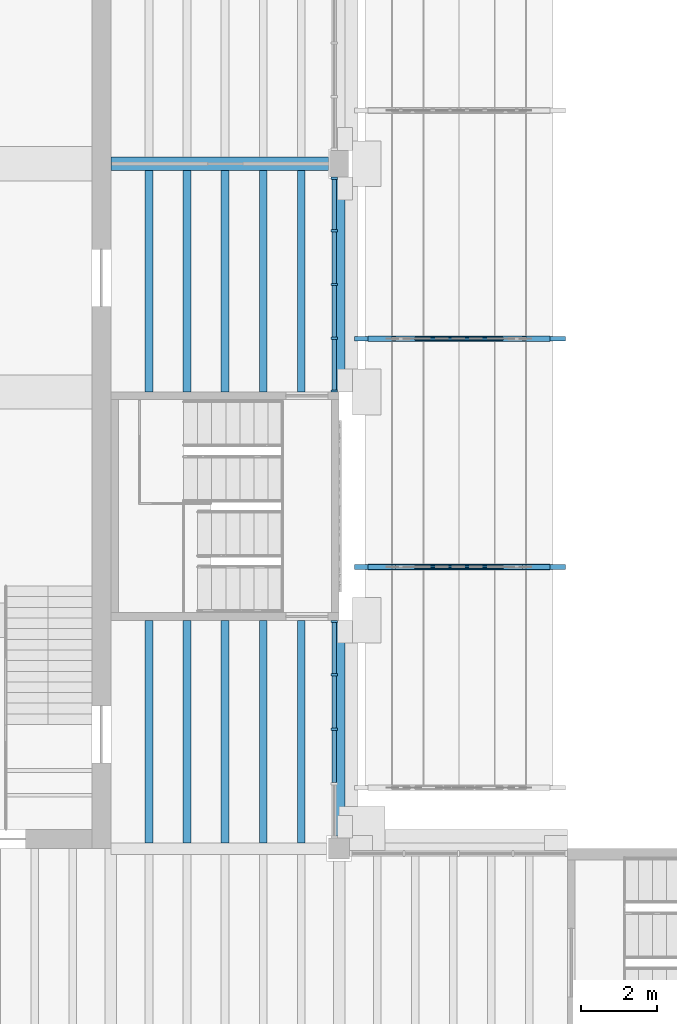
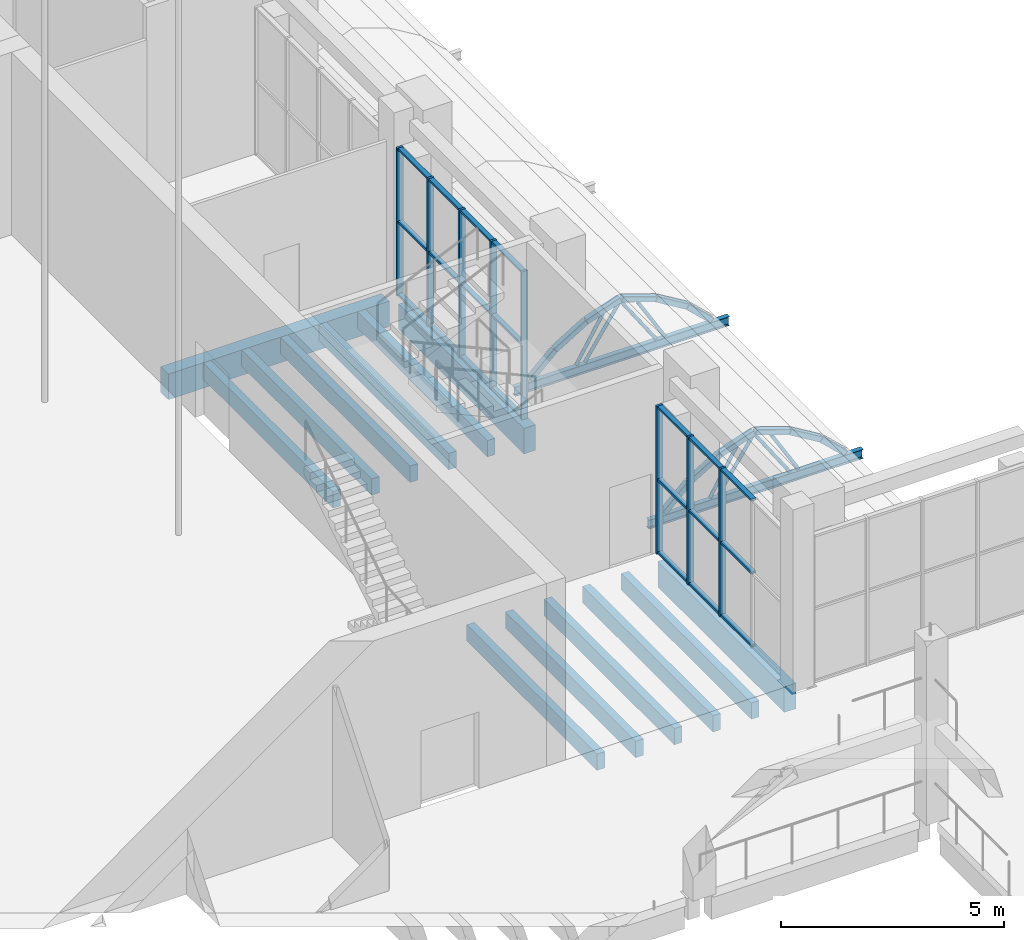
# One storey, part 15 of 80: 37 members, 27 beams, 2 elements without a shape of their own.
"""IFC4 building model written with IfcOpenShell, lengths in metres."""

from ifc_helpers import new_model, si_unit, direction, frame, origin, origin_2d, place, context, subcontext, project, spatial, rectangle, hollow_rectangle, hollow_circle, i_section, extrude, material, material_profile, profile_set, type_object, element, aggregate, save


model = new_model("IFC4")

# Units and contexts
model_context = context("Model", 3, precision=1e-05, world=origin(), true_north=direction((0.0, 1.0)))
body_context = subcontext(model_context, "Body", "Model", "MODEL_VIEW")
ifc_project = project(units=[si_unit("LENGTHUNIT", "METRE"), si_unit("AREAUNIT", "SQUARE_METRE"), si_unit("VOLUMEUNIT", "CUBIC_METRE"), si_unit("PLANEANGLEUNIT", "RADIAN"), si_unit("MASSUNIT", "GRAM", prefix="KILO")], contexts=[model_context])

# Site, building, storey
site_placement = place(None, origin())
site = spatial("IfcSite", under=ifc_project, at=site_placement, CompositionType="ELEMENT")
building_placement = place(site_placement, origin())
building = spatial("IfcBuilding", under=site, at=building_placement, Name="Saffron Lane Theatres", CompositionType="ELEMENT")
storey_placement = place(building_placement, frame((0.0, 0.0, 7.0)))
storey = spatial("IfcBuildingStorey", under=building, at=storey_placement, Name="L01", CompositionType="ELEMENT", Elevation=7.0)

# Curtain wall, members
ifc_material_1 = material(Name="Aluminium", Category="aluminium")
curtain_wall_type_1 = type_object("IfcCurtainWallType", Name="EX-CURTAIN WALL 5650x4050x160", PredefinedType="NOTDEFINED", material=ifc_material_1)
curtain_wall_1_placement = place(storey_placement, origin())
curtain_wall_1 = element("IfcCurtainWall", 1, at=curtain_wall_1_placement, inside=storey, type_object=curtain_wall_type_1, Name="Curtain wall L01 14", PredefinedType="NOTDEFINED")
ifc_material_2 = material(Name="Aluminium", Category="aluminium")
ifc_material_profile_1 = material_profile(ifc_material_2, rectangle(XDim=0.06005859375, YDim=0.159912109375, at=origin_2d()))
ifc_profile_set_1 = profile_set([ifc_material_profile_1], Name="Aluminium")
member_type_1 = type_object("IfcMemberType", Name="EX-CW MULLION 60x160", PredefinedType="MULLION", material=ifc_profile_set_1)
member_1_placement = place(storey_placement, frame((53.8701171875, 47.619873046875, 0.0), z_axis=(0.0, 0.0, 1.0), x_axis=(0.0, -1.0, 0.0)))
member_1 = element("IfcMember", 2, at=member_1_placement, type_object=member_type_1, Name="CW-01-14 mullion 1", PredefinedType="MULLION", context=body_context, shape_type="SweptSolid", body=[
    extrude(rectangle(XDim=0.06005859375, YDim=0.159912109375, at=origin_2d()), origin(), (0.0, 0.0, 1.0), 4.050048828125),
])
member_2_placement = place(storey_placement, frame((53.8701171875, 46.237548828125, 0.0), z_axis=(0.0, 0.0, 1.0), x_axis=(0.0, -1.0, 0.0)))
member_2 = element("IfcMember", 3, at=member_2_placement, type_object=member_type_1, Name="CW-01-14 mullion 2", PredefinedType="MULLION", context=body_context, shape_type="SweptSolid", body=[
    extrude(rectangle(XDim=0.06005859375, YDim=0.159912109375, at=origin_2d()), origin(), (0.0, 0.0, 1.0), 4.050048828125),
])
member_3_placement = place(storey_placement, frame((53.8701171875, 44.824951171875, 0.0), z_axis=(0.0, 0.0, 1.0), x_axis=(0.0, -1.0, 0.0)))
member_3 = element("IfcMember", 4, at=member_3_placement, type_object=member_type_1, Name="CW-01-14 mullion 3", PredefinedType="MULLION", context=body_context, shape_type="SweptSolid", body=[
    extrude(rectangle(XDim=0.06005859375, YDim=0.159912109375, at=origin_2d()), origin(), (0.0, 0.0, 1.0), 4.050048828125),
])
member_4_placement = place(storey_placement, frame((53.8701171875, 43.41259765625, 0.0), z_axis=(0.0, 0.0, 1.0), x_axis=(0.0, -1.0, 0.0)))
member_4 = element("IfcMember", 5, at=member_4_placement, type_object=member_type_1, Name="CW-01-14 mullion 4", PredefinedType="MULLION", context=body_context, shape_type="SweptSolid", body=[
    extrude(rectangle(XDim=0.06005859375, YDim=0.159912109375, at=origin_2d()), origin(), (0.0, 0.0, 1.0), 4.050048828125),
])
member_5_placement = place(storey_placement, frame((53.8701171875, 42.030029296875, 0.0), z_axis=(0.0, 0.0, 1.0), x_axis=(0.0, -1.0, 0.0)))
member_5 = element("IfcMember", 6, at=member_5_placement, type_object=member_type_1, Name="CW-01-14 mullion 5", PredefinedType="MULLION", context=body_context, shape_type="SweptSolid", body=[
    extrude(rectangle(XDim=0.06005859375, YDim=0.159912109375, at=origin_2d()), origin(), (0.0, 0.0, 1.0), 4.050048828125),
])

ifc_material_3 = material(Name="Aluminium", Category="aluminium")
curtain_wall_type_2 = type_object("IfcCurtainWallType", Name="EX-CURTAIN WALL 5720x4050x160", PredefinedType="NOTDEFINED", material=ifc_material_3)
curtain_wall_2_placement = place(storey_placement, origin())
curtain_wall_2 = element("IfcCurtainWall", 7, at=curtain_wall_2_placement, inside=storey, type_object=curtain_wall_type_2, Name="Curtain wall L01 15", PredefinedType="NOTDEFINED")
member_6_placement = place(storey_placement, frame((53.8701171875, 35.969970703125, 0.0), z_axis=(0.0, 0.0, 1.0), x_axis=(0.0, -1.0, 0.0)))
member_6 = element("IfcMember", 8, at=member_6_placement, type_object=member_type_1, Name="CW-01-15 mullion 1", PredefinedType="MULLION", context=body_context, shape_type="SweptSolid", body=[
    extrude(rectangle(XDim=0.06005859375, YDim=0.159912109375, at=origin_2d()), origin(), (0.0, 0.0, 1.0), 4.050048828125),
])
member_7_placement = place(storey_placement, frame((53.8701171875, 34.56884765625, 0.0), z_axis=(0.0, 0.0, 1.0), x_axis=(0.0, -1.0, 0.0)))
member_7 = element("IfcMember", 9, at=member_7_placement, type_object=member_type_1, Name="CW-01-15 mullion 2", PredefinedType="MULLION", context=body_context, shape_type="SweptSolid", body=[
    extrude(rectangle(XDim=0.06005859375, YDim=0.159912109375, at=origin_2d()), origin(), (0.0, 0.0, 1.0), 4.050048828125),
])
member_8_placement = place(storey_placement, frame((53.8701171875, 33.137451171875, 0.0), z_axis=(0.0, 0.0, 1.0), x_axis=(0.0, -1.0, 0.0)))
member_8 = element("IfcMember", 10, at=member_8_placement, type_object=member_type_1, Name="CW-01-15 mullion 3", PredefinedType="MULLION", context=body_context, shape_type="SweptSolid", body=[
    extrude(rectangle(XDim=0.06005859375, YDim=0.159912109375, at=origin_2d()), origin(), (0.0, 0.0, 1.0), 4.050048828125),
])

# Member
ifc_material_4 = material(Name="Aluminium", Category="aluminium")
ifc_material_profile_2 = material_profile(ifc_material_4, rectangle(XDim=0.1201171875, YDim=0.06005859375, at=origin_2d()))
ifc_profile_set_2 = profile_set([ifc_material_profile_2], Name="Aluminium")
member_type_2 = type_object("IfcMemberType", Name="EX-CW TRANSOM 120x60", PredefinedType="USERDEFINED", material=ifc_profile_set_2)
member_9_placement = place(storey_placement, frame((53.8701171875, 47.58984375, 0.030029296875), z_axis=(0.0, -1.0, 0.0), x_axis=(1.0, 0.0, 0.0)))
member_9 = element("IfcMember", 11, at=member_9_placement, type_object=member_type_2, Name="CW-01-14 transom 1.1", ObjectType="TRANSOM", PredefinedType="USERDEFINED", context=body_context, shape_type="SweptSolid", body=[
    extrude(rectangle(XDim=0.1201171875, YDim=0.06005859375, at=origin_2d()), origin(), (0.0, 0.0, 1.0), 1.322509765625),
])

member_10_placement = place(storey_placement, frame((53.8701171875, 47.58984375, 2.02490234375), z_axis=(0.0, -1.0, 0.0), x_axis=(1.0, 0.0, 0.0)))
member_10 = element("IfcMember", 12, at=member_10_placement, type_object=member_type_2, Name="CW-01-14 transom 1.2", ObjectType="TRANSOM", PredefinedType="USERDEFINED", context=body_context, shape_type="SweptSolid", body=[
    extrude(rectangle(XDim=0.1201171875, YDim=0.06005859375, at=origin_2d()), origin(), (0.0, 0.0, 1.0), 1.322509765625),
])

member_11_placement = place(storey_placement, frame((53.8701171875, 47.58984375, 4.02001953125), z_axis=(0.0, -1.0, 0.0), x_axis=(1.0, 0.0, 0.0)))
member_11 = element("IfcMember", 13, at=member_11_placement, type_object=member_type_2, Name="CW-01-14 transom 1.3", ObjectType="TRANSOM", PredefinedType="USERDEFINED", context=body_context, shape_type="SweptSolid", body=[
    extrude(rectangle(XDim=0.1201171875, YDim=0.06005859375, at=origin_2d()), origin(), (0.0, 0.0, 1.0), 1.322509765625),
])

member_12_placement = place(storey_placement, frame((53.8701171875, 46.20751953125, 0.030029296875), z_axis=(0.0, -1.0, 0.0), x_axis=(1.0, 0.0, 0.0)))
member_12 = element("IfcMember", 14, at=member_12_placement, type_object=member_type_2, Name="CW-01-14 transom 2.1", ObjectType="TRANSOM", PredefinedType="USERDEFINED", context=body_context, shape_type="SweptSolid", body=[
    extrude(rectangle(XDim=0.1201171875, YDim=0.06005859375, at=origin_2d()), origin(), (0.0, 0.0, 1.0), 1.3525390625),
])

member_13_placement = place(storey_placement, frame((53.8701171875, 46.20751953125, 2.02490234375), z_axis=(0.0, -1.0, 0.0), x_axis=(1.0, 0.0, 0.0)))
member_13 = element("IfcMember", 15, at=member_13_placement, type_object=member_type_2, Name="CW-01-14 transom 2.2", ObjectType="TRANSOM", PredefinedType="USERDEFINED", context=body_context, shape_type="SweptSolid", body=[
    extrude(rectangle(XDim=0.1201171875, YDim=0.06005859375, at=origin_2d()), origin(), (0.0, 0.0, 1.0), 1.3525390625),
])

member_14_placement = place(storey_placement, frame((53.8701171875, 46.20751953125, 4.02001953125), z_axis=(0.0, -1.0, 0.0), x_axis=(1.0, 0.0, 0.0)))
member_14 = element("IfcMember", 16, at=member_14_placement, type_object=member_type_2, Name="CW-01-14 transom 2.3", ObjectType="TRANSOM", PredefinedType="USERDEFINED", context=body_context, shape_type="SweptSolid", body=[
    extrude(rectangle(XDim=0.1201171875, YDim=0.06005859375, at=origin_2d()), origin(), (0.0, 0.0, 1.0), 1.3525390625),
])

member_15_placement = place(storey_placement, frame((53.8701171875, 44.794921875, 0.030029296875), z_axis=(0.0, -1.0, 0.0), x_axis=(1.0, 0.0, 0.0)))
member_15 = element("IfcMember", 17, at=member_15_placement, type_object=member_type_2, Name="CW-01-14 transom 3.1", ObjectType="TRANSOM", PredefinedType="USERDEFINED", context=body_context, shape_type="SweptSolid", body=[
    extrude(rectangle(XDim=0.1201171875, YDim=0.06005859375, at=origin_2d()), origin(), (0.0, 0.0, 1.0), 1.3525390625),
])

member_16_placement = place(storey_placement, frame((53.8701171875, 44.794921875, 2.02490234375), z_axis=(0.0, -1.0, 0.0), x_axis=(1.0, 0.0, 0.0)))
member_16 = element("IfcMember", 18, at=member_16_placement, type_object=member_type_2, Name="CW-01-14 transom 3.2", ObjectType="TRANSOM", PredefinedType="USERDEFINED", context=body_context, shape_type="SweptSolid", body=[
    extrude(rectangle(XDim=0.1201171875, YDim=0.06005859375, at=origin_2d()), origin(), (0.0, 0.0, 1.0), 1.3525390625),
])

member_17_placement = place(storey_placement, frame((53.8701171875, 44.794921875, 4.02001953125), z_axis=(0.0, -1.0, 0.0), x_axis=(1.0, 0.0, 0.0)))
member_17 = element("IfcMember", 19, at=member_17_placement, type_object=member_type_2, Name="CW-01-14 transom 3.3", ObjectType="TRANSOM", PredefinedType="USERDEFINED", context=body_context, shape_type="SweptSolid", body=[
    extrude(rectangle(XDim=0.1201171875, YDim=0.06005859375, at=origin_2d()), origin(), (0.0, 0.0, 1.0), 1.3525390625),
])

member_18_placement = place(storey_placement, frame((53.8701171875, 43.382568359375, 0.030029296875), z_axis=(0.0, -1.0, 0.0), x_axis=(1.0, 0.0, 0.0)))
member_18 = element("IfcMember", 20, at=member_18_placement, type_object=member_type_2, Name="CW-01-14 transom 4.1", ObjectType="TRANSOM", PredefinedType="USERDEFINED", context=body_context, shape_type="SweptSolid", body=[
    extrude(rectangle(XDim=0.1201171875, YDim=0.06005859375, at=origin_2d()), origin(), (0.0, 0.0, 1.0), 1.322509765625),
])

member_19_placement = place(storey_placement, frame((53.8701171875, 43.382568359375, 2.02490234375), z_axis=(0.0, -1.0, 0.0), x_axis=(1.0, 0.0, 0.0)))
member_19 = element("IfcMember", 21, at=member_19_placement, type_object=member_type_2, Name="CW-01-14 transom 4.2", ObjectType="TRANSOM", PredefinedType="USERDEFINED", context=body_context, shape_type="SweptSolid", body=[
    extrude(rectangle(XDim=0.1201171875, YDim=0.06005859375, at=origin_2d()), origin(), (0.0, 0.0, 1.0), 1.322509765625),
])

member_20_placement = place(storey_placement, frame((53.8701171875, 43.382568359375, 4.02001953125), z_axis=(0.0, -1.0, 0.0), x_axis=(1.0, 0.0, 0.0)))
member_20 = element("IfcMember", 22, at=member_20_placement, type_object=member_type_2, Name="CW-01-14 transom 4.3", ObjectType="TRANSOM", PredefinedType="USERDEFINED", context=body_context, shape_type="SweptSolid", body=[
    extrude(rectangle(XDim=0.1201171875, YDim=0.06005859375, at=origin_2d()), origin(), (0.0, 0.0, 1.0), 1.322509765625),
])

aggregate(curtain_wall_1, [member_1, member_2, member_3, member_4, member_5, member_9, member_10, member_11, member_12, member_13, member_14, member_15, member_16, member_17, member_18, member_19, member_20])

member_21_placement = place(storey_placement, frame((53.8701171875, 35.93994140625, 0.030029296875), z_axis=(0.0, -1.0, 0.0), x_axis=(1.0, 0.0, 0.0)))
member_21 = element("IfcMember", 23, at=member_21_placement, type_object=member_type_2, Name="CW-01-15 transom 1.1", ObjectType="TRANSOM", PredefinedType="USERDEFINED", context=body_context, shape_type="SweptSolid", body=[
    extrude(rectangle(XDim=0.1201171875, YDim=0.06005859375, at=origin_2d()), origin(), (0.0, 0.0, 1.0), 1.34130859375),
])

member_22_placement = place(storey_placement, frame((53.8701171875, 35.93994140625, 2.02490234375), z_axis=(0.0, -1.0, 0.0), x_axis=(1.0, 0.0, 0.0)))
member_22 = element("IfcMember", 24, at=member_22_placement, type_object=member_type_2, Name="CW-01-15 transom 1.2", ObjectType="TRANSOM", PredefinedType="USERDEFINED", context=body_context, shape_type="SweptSolid", body=[
    extrude(rectangle(XDim=0.1201171875, YDim=0.06005859375, at=origin_2d()), origin(), (0.0, 0.0, 1.0), 1.34130859375),
])

member_23_placement = place(storey_placement, frame((53.8701171875, 35.93994140625, 4.02001953125), z_axis=(0.0, -1.0, 0.0), x_axis=(1.0, 0.0, 0.0)))
member_23 = element("IfcMember", 25, at=member_23_placement, type_object=member_type_2, Name="CW-01-15 transom 1.3", ObjectType="TRANSOM", PredefinedType="USERDEFINED", context=body_context, shape_type="SweptSolid", body=[
    extrude(rectangle(XDim=0.1201171875, YDim=0.06005859375, at=origin_2d()), origin(), (0.0, 0.0, 1.0), 1.34130859375),
])

member_24_placement = place(storey_placement, frame((53.8701171875, 34.538818359375, 0.030029296875), z_axis=(0.0, -1.0, 0.0), x_axis=(1.0, 0.0, 0.0)))
member_24 = element("IfcMember", 26, at=member_24_placement, type_object=member_type_2, Name="CW-01-15 transom 2.1", ObjectType="TRANSOM", PredefinedType="USERDEFINED", context=body_context, shape_type="SweptSolid", body=[
    extrude(rectangle(XDim=0.1201171875, YDim=0.06005859375, at=origin_2d()), origin(), (0.0, 0.0, 1.0), 1.371337890625),
])

member_25_placement = place(storey_placement, frame((53.8701171875, 34.538818359375, 2.02490234375), z_axis=(0.0, -1.0, 0.0), x_axis=(1.0, 0.0, 0.0)))
member_25 = element("IfcMember", 27, at=member_25_placement, type_object=member_type_2, Name="CW-01-15 transom 2.2", ObjectType="TRANSOM", PredefinedType="USERDEFINED", context=body_context, shape_type="SweptSolid", body=[
    extrude(rectangle(XDim=0.1201171875, YDim=0.06005859375, at=origin_2d()), origin(), (0.0, 0.0, 1.0), 1.371337890625),
])

member_26_placement = place(storey_placement, frame((53.8701171875, 34.538818359375, 4.02001953125), z_axis=(0.0, -1.0, 0.0), x_axis=(1.0, 0.0, 0.0)))
member_26 = element("IfcMember", 28, at=member_26_placement, type_object=member_type_2, Name="CW-01-15 transom 2.3", ObjectType="TRANSOM", PredefinedType="USERDEFINED", context=body_context, shape_type="SweptSolid", body=[
    extrude(rectangle(XDim=0.1201171875, YDim=0.06005859375, at=origin_2d()), origin(), (0.0, 0.0, 1.0), 1.371337890625),
])

member_27_placement = place(storey_placement, frame((53.8701171875, 33.107421875, 0.030029296875), z_axis=(0.0, -1.0, 0.0), x_axis=(1.0, 0.0, 0.0)))
member_27 = element("IfcMember", 29, at=member_27_placement, type_object=member_type_2, Name="CW-01-15 transom 3.1", ObjectType="TRANSOM", PredefinedType="USERDEFINED", context=body_context, shape_type="SweptSolid", body=[
    extrude(rectangle(XDim=0.1201171875, YDim=0.06005859375, at=origin_2d()), origin(), (0.0, 0.0, 1.0), 1.371337890625),
])

member_28_placement = place(storey_placement, frame((53.8701171875, 33.107421875, 2.02490234375), z_axis=(0.0, -1.0, 0.0), x_axis=(1.0, 0.0, 0.0)))
member_28 = element("IfcMember", 30, at=member_28_placement, type_object=member_type_2, Name="CW-01-15 transom 3.2", ObjectType="TRANSOM", PredefinedType="USERDEFINED", context=body_context, shape_type="SweptSolid", body=[
    extrude(rectangle(XDim=0.1201171875, YDim=0.06005859375, at=origin_2d()), origin(), (0.0, 0.0, 1.0), 1.371337890625),
])

member_29_placement = place(storey_placement, frame((53.8701171875, 33.107421875, 4.02001953125), z_axis=(0.0, -1.0, 0.0), x_axis=(1.0, 0.0, 0.0)))
member_29 = element("IfcMember", 31, at=member_29_placement, type_object=member_type_2, Name="CW-01-15 transom 3.3", ObjectType="TRANSOM", PredefinedType="USERDEFINED", context=body_context, shape_type="SweptSolid", body=[
    extrude(rectangle(XDim=0.1201171875, YDim=0.06005859375, at=origin_2d()), origin(), (0.0, 0.0, 1.0), 1.371337890625),
])

aggregate(curtain_wall_2, [member_6, member_7, member_8, member_21, member_22, member_23, member_24, member_25, member_26, member_27, member_28, member_29])

# Beams
ifc_material_5 = material(Name="Concrete N40 (40 MPa)", Category="concrete")
ifc_material_profile_3 = material_profile(ifc_material_5, rectangle(XDim=0.300048828125, YDim=0.699951171875, at=origin_2d()))
ifc_profile_set_3 = profile_set([ifc_material_profile_3], Name="Concrete N40 (40 MPa)")
beam_type_1 = type_object("IfcBeamType", Name="RC-BEAM 300x700", PredefinedType="BEAM", material=ifc_profile_set_3)
beam_1_placement = place(storey_placement, frame((54.0, 30.324951171875, -0.60009765625), z_axis=(0.0, 1.0, 0.0), x_axis=(-1.0, 0.0, 0.0)))
element("IfcBeam", 32, at=beam_1_placement, inside=storey, type_object=beam_type_1, Name="beam-L01-y540-303", PredefinedType="BEAM", context=body_context, shape_type="SweptSolid", body=[
    extrude(rectangle(XDim=0.300048828125, YDim=0.699951171875, at=origin_2d()), origin(), (0.0, 0.0, 1.0), 5.675048828125),
])
beam_2_placement = place(storey_placement, frame((54.0, 42.0, -0.60009765625), z_axis=(0.0, 1.0, 0.0), x_axis=(-1.0, 0.0, 0.0)))
element("IfcBeam", 33, at=beam_2_placement, inside=storey, type_object=beam_type_1, Name="beam-L01-y540-420", PredefinedType="BEAM", context=body_context, shape_type="SweptSolid", body=[
    extrude(rectangle(XDim=0.300048828125, YDim=0.699951171875, at=origin_2d()), origin(), (0.0, 0.0, 1.0), 5.625),
])
ifc_material_6 = material(Name="Concrete N40 (40 MPa)", Category="concrete")
ifc_material_profile_4 = material_profile(ifc_material_6, rectangle(XDim=0.35009765625, YDim=0.699951171875, at=origin_2d()))
ifc_profile_set_4 = profile_set([ifc_material_profile_4], Name="Concrete N40 (40 MPa)")
beam_type_2 = type_object("IfcBeamType", Name="RC-BEAM 350x700", PredefinedType="BEAM", material=ifc_profile_set_4)
beam_3_placement = place(storey_placement, frame((48.0, 48.0, -0.60009765625), z_axis=(1.0, 0.0, 0.0), x_axis=(0.0, 1.0, 0.0)))
element("IfcBeam", 34, at=beam_3_placement, inside=storey, type_object=beam_type_2, Name="beam-L01-x480-480", PredefinedType="BEAM", context=body_context, shape_type="SweptSolid", body=[
    extrude(rectangle(XDim=0.35009765625, YDim=0.699951171875, at=origin_2d()), origin(), (0.0, 0.0, 1.0), 5.72509765625),
])
ifc_material_7 = material(Name="Concrete N40 (40 MPa)", Category="concrete")
ifc_material_profile_5 = material_profile(ifc_material_7, rectangle(XDim=0.199951171875, YDim=0.449951171875, at=origin_2d()))
ifc_profile_set_5 = profile_set([ifc_material_profile_5], Name="Concrete N40 (40 MPa)")
beam_type_3 = type_object("IfcBeamType", Name="RC-JOIST 200x450", PredefinedType="JOIST", material=ifc_profile_set_5)
for number, where, z_axis, x_axis, name in (
    (35, (49.0, 30.14990234375, -0.47509765625), (0.0, 1.0, 0.0), (-1.0, 0.0, 0.0), "joist-L01-y4900-302"),
    (36, (50.0, 30.14990234375, -0.47509765625), (0.0, 1.0, 0.0), (-1.0, 0.0, 0.0), "joist-L01-y5000-302"),
    (37, (51.0, 30.14990234375, -0.47509765625), (0.0, 1.0, 0.0), (-1.0, 0.0, 0.0), "joist-L01-y5100-302"),
    (38, (52.0, 30.14990234375, -0.47509765625), (0.0, 1.0, 0.0), (-1.0, 0.0, 0.0), "joist-L01-y5200-302"),
    (39, (53.0, 30.14990234375, -0.47509765625), (0.0, 1.0, 0.0), (-1.0, 0.0, 0.0), "joist-L01-y5300-302"),
):
    element("IfcBeam", number, at=place(storey_placement, frame(where, z_axis=z_axis, x_axis=x_axis)), inside=storey, type_object=beam_type_3, Name=name, PredefinedType="JOIST", context=body_context, shape_type="SweptSolid", body=[
        extrude(rectangle(XDim=0.199951171875, YDim=0.449951171875, at=origin_2d()), origin(), (0.0, 0.0, 1.0), 5.85009765625),
    ])
for number, where, z_axis, x_axis, name in (
    (40, (49.0, 42.0, -0.47509765625), (0.0, 1.0, 0.0), (-1.0, 0.0, 0.0), "joist-L01-y4900-420"),
    (41, (50.0, 42.0, -0.47509765625), (0.0, 1.0, 0.0), (-1.0, 0.0, 0.0), "joist-L01-y5000-420"),
    (42, (51.0, 42.0, -0.47509765625), (0.0, 1.0, 0.0), (-1.0, 0.0, 0.0), "joist-L01-y5100-420"),
    (43, (52.0, 42.0, -0.47509765625), (0.0, 1.0, 0.0), (-1.0, 0.0, 0.0), "joist-L01-y5200-420"),
    (44, (53.0, 42.0, -0.47509765625), (0.0, 1.0, 0.0), (-1.0, 0.0, 0.0), "joist-L01-y5300-420"),
):
    element("IfcBeam", number, at=place(storey_placement, frame(where, z_axis=z_axis, x_axis=x_axis)), inside=storey, type_object=beam_type_3, Name=name, PredefinedType="JOIST", context=body_context, shape_type="SweptSolid", body=[
        extrude(rectangle(XDim=0.199951171875, YDim=0.449951171875, at=origin_2d()), origin(), (0.0, 0.0, 1.0), 5.824951171875),
    ])
ifc_material_8 = material(Name="Steel Grade 350", Category="steel")
ifc_material_profile_6 = material_profile(ifc_material_8, i_section(OverallWidth=0.1240234375, OverallDepth=0.248046875, WebThickness=0.0048828125, FlangeThickness=0.008056640625, FilletRadius=0.011962890625, at=origin_2d()))
ifc_profile_set_6 = profile_set([ifc_material_profile_6], Name="Steel Grade 350")
beam_type_4 = type_object("IfcBeamType", Name="ST-CANOPY BEAM 250UB25.7", PredefinedType="BEAM", material=ifc_profile_set_6)
for number, where, z_axis, x_axis, name in (
    (45, (54.39990234375, 37.39990234375, -0.25390625), (1.0, 0.0, 0.0), (0.0, 1.0, 0.0), "CB2"),
    (46, (54.39990234375, 43.39990234375, -0.25390625), (1.0, 0.0, 0.0), (0.0, 1.0, 0.0), "CB3"),
):
    element("IfcBeam", number, at=place(storey_placement, frame(where, z_axis=z_axis, x_axis=x_axis)), inside=storey, type_object=beam_type_4, Name=name, PredefinedType="BEAM", context=body_context, shape_type="SweptSolid", body=[
        extrude(i_section(OverallWidth=0.1240234375, OverallDepth=0.248046875, WebThickness=0.0048828125, FlangeThickness=0.008056640625, FilletRadius=0.011962890625, at=origin_2d()), origin(), (0.0, 0.0, 1.0), 5.550048828125),
    ])
ifc_material_9 = material(Name="Steel Grade 350", Category="steel")
ifc_material_profile_7 = material_profile(ifc_material_9, hollow_rectangle(XDim=0.14990234375, YDim=0.14990234375, WallThickness=0.009033203125, InnerFilletRadius=0.00439453125, OuterFilletRadius=0.013427734375, at=origin_2d()))
ifc_profile_set_7 = profile_set([ifc_material_profile_7], Name="Steel Grade 350")
beam_type_5 = type_object("IfcBeamType", Name="ST-PORTAL RIB 150x150x9 SHS", PredefinedType="USERDEFINED", material=ifc_profile_set_7)
beam_4_placement = place(storey_placement, frame((54.807861328125, 37.39990234375, -0.075439453125), z_axis=(0.727908671932, 0.0, 0.685674095563), x_axis=(0.0, 1.0, 0.0)))
element("IfcBeam", 47, at=beam_4_placement, inside=storey, type_object=beam_type_5, Name="PR2A", ObjectType="PORTAL RIB", PredefinedType="USERDEFINED", context=body_context, shape_type="SweptSolid", body=[
    extrude(hollow_rectangle(XDim=0.14990234375, YDim=0.14990234375, WallThickness=0.009033203125, InnerFilletRadius=0.00439453125, OuterFilletRadius=0.013427734375, at=origin_2d()), origin(), (0.0, 0.0, 1.0), 0.861328125),
])
beam_5_placement = place(storey_placement, frame((55.447509765625, 37.39990234375, 0.52490234375), z_axis=(0.85587209681, 0.0, 0.517187542292), x_axis=(0.0, 1.0, 0.0)))
element("IfcBeam", 48, at=beam_5_placement, inside=storey, type_object=beam_type_5, Name="PR2B", ObjectType="PORTAL RIB", PredefinedType="USERDEFINED", context=body_context, shape_type="SweptSolid", body=[
    extrude(hollow_rectangle(XDim=0.14990234375, YDim=0.14990234375, WallThickness=0.009033203125, InnerFilletRadius=0.00439453125, OuterFilletRadius=0.013427734375, at=origin_2d()), origin(), (0.0, 0.0, 1.0), 0.932861328125),
])
beam_6_placement = place(storey_placement, frame((56.26025390625, 37.39990234375, 1.013916015625), z_axis=(0.945625061325, 0.0, 0.325258733001), x_axis=(0.0, 1.0, 0.0)))
element("IfcBeam", 49, at=beam_6_placement, inside=storey, type_object=beam_type_5, Name="PR2C", ObjectType="PORTAL RIB", PredefinedType="USERDEFINED", context=body_context, shape_type="SweptSolid", body=[
    extrude(hollow_rectangle(XDim=0.14990234375, YDim=0.14990234375, WallThickness=0.009033203125, InnerFilletRadius=0.00439453125, OuterFilletRadius=0.013427734375, at=origin_2d()), origin(), (0.0, 0.0, 1.0), 0.9150390625),
])
beam_7_placement = place(storey_placement, frame((57.17431640625, 37.39990234375, 1.3115234375), z_axis=(0.945653278846, 0.0, -0.325176684602), x_axis=(0.0, 1.0, 0.0)))
element("IfcBeam", 50, at=beam_7_placement, inside=storey, type_object=beam_type_5, Name="PR2D", ObjectType="PORTAL RIB", PredefinedType="USERDEFINED", context=body_context, shape_type="SweptSolid", body=[
    extrude(hollow_rectangle(XDim=0.14990234375, YDim=0.14990234375, WallThickness=0.009033203125, InnerFilletRadius=0.00439453125, OuterFilletRadius=0.013427734375, at=origin_2d()), origin(), (0.0, 0.0, 1.0), 0.915283203125),
])
beam_8_placement = place(storey_placement, frame((58.05419921875, 37.39990234375, 1.00732421875), z_axis=(0.85587209681, 0.0, -0.517187542292), x_axis=(0.0, 1.0, 0.0)))
element("IfcBeam", 51, at=beam_8_placement, inside=storey, type_object=beam_type_5, Name="PR2E", ObjectType="PORTAL RIB", PredefinedType="USERDEFINED", context=body_context, shape_type="SweptSolid", body=[
    extrude(hollow_rectangle(XDim=0.14990234375, YDim=0.14990234375, WallThickness=0.009033203125, InnerFilletRadius=0.00439453125, OuterFilletRadius=0.013427734375, at=origin_2d()), origin(), (0.0, 0.0, 1.0), 0.932861328125),
])
for number, where, z_axis, x_axis, name in (
    (52, (58.865234375, 37.39990234375, 0.51513671875), (0.727908671932, 0.0, -0.685674095563), (0.0, 1.0, 0.0), "PR2F"),
    (53, (54.807861328125, 43.39990234375, -0.075439453125), (0.727908671932, 0.0, 0.685674095563), (0.0, 1.0, 0.0), "PR3A"),
):
    element("IfcBeam", number, at=place(storey_placement, frame(where, z_axis=z_axis, x_axis=x_axis)), inside=storey, type_object=beam_type_5, Name=name, ObjectType="PORTAL RIB", PredefinedType="USERDEFINED", context=body_context, shape_type="SweptSolid", body=[
        extrude(hollow_rectangle(XDim=0.14990234375, YDim=0.14990234375, WallThickness=0.009033203125, InnerFilletRadius=0.00439453125, OuterFilletRadius=0.013427734375, at=origin_2d()), origin(), (0.0, 0.0, 1.0), 0.861328125),
    ])
beam_9_placement = place(storey_placement, frame((55.447509765625, 43.39990234375, 0.52490234375), z_axis=(0.85587209681, 0.0, 0.517187542292), x_axis=(0.0, 1.0, 0.0)))
element("IfcBeam", 54, at=beam_9_placement, inside=storey, type_object=beam_type_5, Name="PR3B", ObjectType="PORTAL RIB", PredefinedType="USERDEFINED", context=body_context, shape_type="SweptSolid", body=[
    extrude(hollow_rectangle(XDim=0.14990234375, YDim=0.14990234375, WallThickness=0.009033203125, InnerFilletRadius=0.00439453125, OuterFilletRadius=0.013427734375, at=origin_2d()), origin(), (0.0, 0.0, 1.0), 0.932861328125),
])
beam_10_placement = place(storey_placement, frame((56.26025390625, 43.39990234375, 1.013916015625), z_axis=(0.945625061325, 0.0, 0.325258733001), x_axis=(0.0, 1.0, 0.0)))
element("IfcBeam", 55, at=beam_10_placement, inside=storey, type_object=beam_type_5, Name="PR3C", ObjectType="PORTAL RIB", PredefinedType="USERDEFINED", context=body_context, shape_type="SweptSolid", body=[
    extrude(hollow_rectangle(XDim=0.14990234375, YDim=0.14990234375, WallThickness=0.009033203125, InnerFilletRadius=0.00439453125, OuterFilletRadius=0.013427734375, at=origin_2d()), origin(), (0.0, 0.0, 1.0), 0.9150390625),
])
beam_11_placement = place(storey_placement, frame((57.17431640625, 43.39990234375, 1.3115234375), z_axis=(0.945653278846, 0.0, -0.325176684602), x_axis=(0.0, 1.0, 0.0)))
element("IfcBeam", 56, at=beam_11_placement, inside=storey, type_object=beam_type_5, Name="PR3D", ObjectType="PORTAL RIB", PredefinedType="USERDEFINED", context=body_context, shape_type="SweptSolid", body=[
    extrude(hollow_rectangle(XDim=0.14990234375, YDim=0.14990234375, WallThickness=0.009033203125, InnerFilletRadius=0.00439453125, OuterFilletRadius=0.013427734375, at=origin_2d()), origin(), (0.0, 0.0, 1.0), 0.915283203125),
])
beam_12_placement = place(storey_placement, frame((58.05419921875, 43.39990234375, 1.00732421875), z_axis=(0.85587209681, 0.0, -0.517187542292), x_axis=(0.0, 1.0, 0.0)))
element("IfcBeam", 57, at=beam_12_placement, inside=storey, type_object=beam_type_5, Name="PR3E", ObjectType="PORTAL RIB", PredefinedType="USERDEFINED", context=body_context, shape_type="SweptSolid", body=[
    extrude(hollow_rectangle(XDim=0.14990234375, YDim=0.14990234375, WallThickness=0.009033203125, InnerFilletRadius=0.00439453125, OuterFilletRadius=0.013427734375, at=origin_2d()), origin(), (0.0, 0.0, 1.0), 0.932861328125),
])
beam_13_placement = place(storey_placement, frame((58.865234375, 43.39990234375, 0.51513671875), z_axis=(0.727908671932, 0.0, -0.685674095563), x_axis=(0.0, 1.0, 0.0)))
element("IfcBeam", 58, at=beam_13_placement, inside=storey, type_object=beam_type_5, Name="PR3F", ObjectType="PORTAL RIB", PredefinedType="USERDEFINED", context=body_context, shape_type="SweptSolid", body=[
    extrude(hollow_rectangle(XDim=0.14990234375, YDim=0.14990234375, WallThickness=0.009033203125, InnerFilletRadius=0.00439453125, OuterFilletRadius=0.013427734375, at=origin_2d()), origin(), (0.0, 0.0, 1.0), 0.861328125),
])

# Members
ifc_material_10 = material(Name="Steel Grade 350", Category="steel")
ifc_material_profile_8 = material_profile(ifc_material_10, hollow_circle(Radius=0.04443359375, WallThickness=0.005859375, at=origin_2d()))
ifc_profile_set_8 = profile_set([ifc_material_profile_8], Name="Steel Grade 350")
member_type_3 = type_object("IfcMemberType", Name="ST-VAULT BRACE 88.9x5.9 CHS", PredefinedType="BRACE", material=ifc_profile_set_8)
member_30_placement = place(storey_placement, frame((56.009033203125, 37.39990234375, -0.107177734375), z_axis=(0.512121126852, 0.0, 0.858913238594), x_axis=(0.0, 1.0, 0.0)))
element("IfcMember", 59, at=member_30_placement, inside=storey, type_object=member_type_3, Name="PS2-2", PredefinedType="BRACE", context=body_context, shape_type="SweptSolid", body=[
    extrude(hollow_circle(Radius=0.04443359375, WallThickness=0.005859375, at=origin_2d()), origin(), (0.0, 0.0, 1.0), 1.3466796875),
])
member_31_placement = place(storey_placement, frame((58.291015625, 37.39990234375, -0.107177734375), z_axis=(-0.512254845616, 0.0, 0.858833495587), x_axis=(0.0, -1.0, 0.0)))
element("IfcMember", 60, at=member_31_placement, inside=storey, type_object=member_type_3, Name="PS2-3", PredefinedType="BRACE", context=body_context, shape_type="SweptSolid", body=[
    extrude(hollow_circle(Radius=0.04443359375, WallThickness=0.005859375, at=origin_2d()), origin(), (0.0, 0.0, 1.0), 1.346923828125),
])
member_32_placement = place(storey_placement, frame((56.009033203125, 43.39990234375, -0.107177734375), z_axis=(0.512121126852, 0.0, 0.858913238594), x_axis=(0.0, 1.0, 0.0)))
element("IfcMember", 61, at=member_32_placement, inside=storey, type_object=member_type_3, Name="PS3-2", PredefinedType="BRACE", context=body_context, shape_type="SweptSolid", body=[
    extrude(hollow_circle(Radius=0.04443359375, WallThickness=0.005859375, at=origin_2d()), origin(), (0.0, 0.0, 1.0), 1.3466796875),
])
member_33_placement = place(storey_placement, frame((58.291015625, 43.39990234375, -0.107177734375), z_axis=(-0.512254845616, 0.0, 0.858833495587), x_axis=(0.0, -1.0, 0.0)))
element("IfcMember", 62, at=member_33_placement, inside=storey, type_object=member_type_3, Name="PS3-3", PredefinedType="BRACE", context=body_context, shape_type="SweptSolid", body=[
    extrude(hollow_circle(Radius=0.04443359375, WallThickness=0.005859375, at=origin_2d()), origin(), (0.0, 0.0, 1.0), 1.346923828125),
])
member_34_placement = place(storey_placement, frame((56.234619140625, 37.39990234375, -0.10498046875), z_axis=(0.561229138004, 0.0, 0.827660470637), x_axis=(0.0, 1.0, 0.0)))
element("IfcMember", 63, at=member_34_placement, inside=storey, type_object=member_type_3, Name="PA2-1", PredefinedType="BRACE", context=body_context, shape_type="SweptSolid", body=[
    extrude(hollow_circle(Radius=0.04443359375, WallThickness=0.005859375, at=origin_2d()), origin(), (0.0, 0.0, 1.0), 1.600830078125),
])
member_35_placement = place(storey_placement, frame((58.065185546875, 37.39990234375, -0.10498046875), z_axis=(-0.561124653333, 0.0, 0.827731311128), x_axis=(0.0, -1.0, 0.0)))
element("IfcMember", 64, at=member_35_placement, inside=storey, type_object=member_type_3, Name="PA2-2", PredefinedType="BRACE", context=body_context, shape_type="SweptSolid", body=[
    extrude(hollow_circle(Radius=0.04443359375, WallThickness=0.005859375, at=origin_2d()), origin(), (0.0, 0.0, 1.0), 1.6005859375),
])
member_36_placement = place(storey_placement, frame((56.234619140625, 43.39990234375, -0.10498046875), z_axis=(0.561229138004, 0.0, 0.827660470637), x_axis=(0.0, 1.0, 0.0)))
element("IfcMember", 65, at=member_36_placement, inside=storey, type_object=member_type_3, Name="PA3-1", PredefinedType="BRACE", context=body_context, shape_type="SweptSolid", body=[
    extrude(hollow_circle(Radius=0.04443359375, WallThickness=0.005859375, at=origin_2d()), origin(), (0.0, 0.0, 1.0), 1.600830078125),
])
member_37_placement = place(storey_placement, frame((58.065185546875, 43.39990234375, -0.10498046875), z_axis=(-0.561124653333, 0.0, 0.827731311128), x_axis=(0.0, -1.0, 0.0)))
element("IfcMember", 66, at=member_37_placement, inside=storey, type_object=member_type_3, Name="PA3-2", PredefinedType="BRACE", context=body_context, shape_type="SweptSolid", body=[
    extrude(hollow_circle(Radius=0.04443359375, WallThickness=0.005859375, at=origin_2d()), origin(), (0.0, 0.0, 1.0), 1.6005859375),
])

save(model, "model.ifc")
